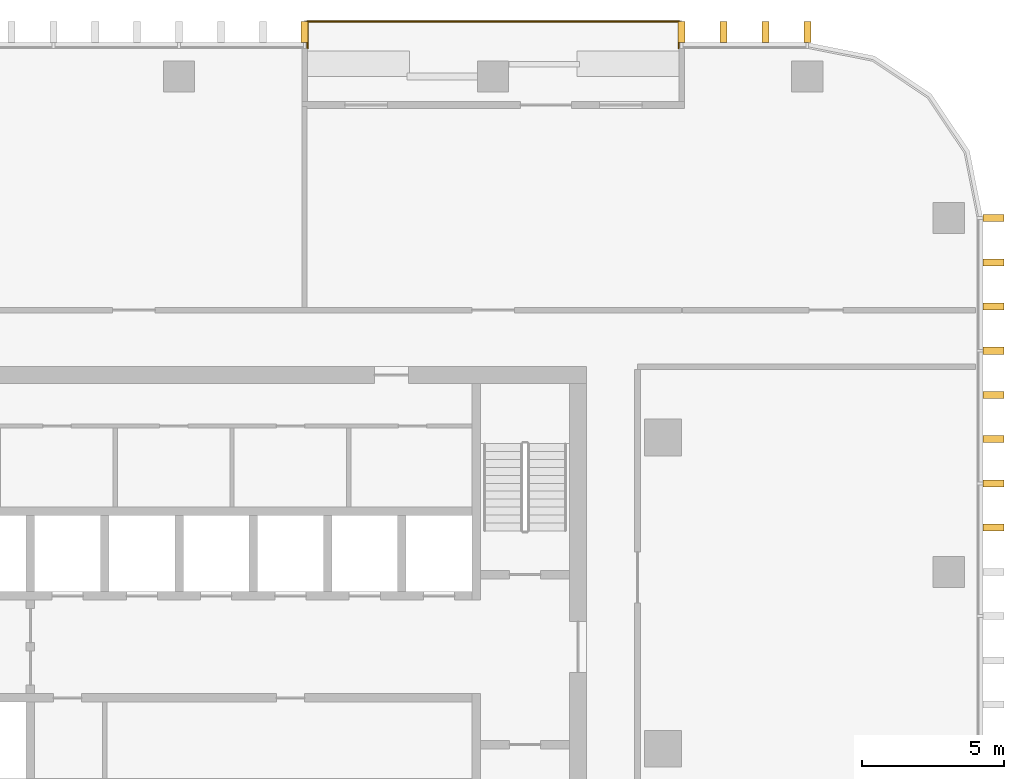
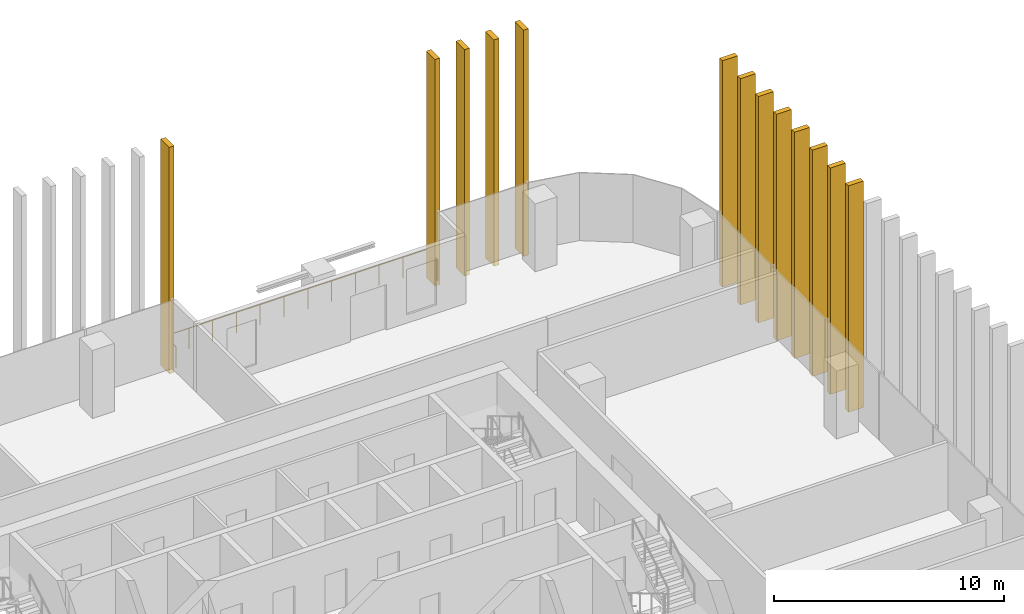
# One storey, part 16 of 16: 13 shading devices, 1 railing.
"""IFC4 building model written with IfcOpenShell, lengths in metres."""

import ifcopenshell
import ifcopenshell.guid

model = None  # the IFC model being written
_history = None  # IfcOwnerHistory: only IFC2X3 demands one
_inside = {}  # id of a spatial element -> (the spatial element, [elements in it])
_under = {}  # id of a project, library or spatial element -> (it, [spatial elements below it])
_declared = {}  # id of a project -> (the project, [libraries it declares])
_typed = {}  # id of a type object -> (the type object, [elements of that type])
_made_of = {}  # id of a material, layer set ... -> (it, [elements and type objects made of it])


def new_model(schema):
    """Start an empty IFC model of exactly this schema.

    Asked for "IFC4X3", IfcOpenShell would pick the latest addendum, in which some entities
    have other attributes; the version numbers below select the first issue.
    IFC2X3 requires an IfcOwnerHistory on every rooted entity: one is made here for all.
    """
    global model, _history
    if schema == "IFC4X3":
        model = ifcopenshell.file(schema_version=(4, 3, 0, 0))
    else:
        model = ifcopenshell.file(schema=schema)
    _inside.clear()
    _under.clear()
    _declared.clear()
    _typed.clear()
    _made_of.clear()
    _history = None
    if model.schema == "IFC2X3":
        org = make("IfcOrganization", Name="unknown")
        user = make(
            "IfcPersonAndOrganization",
            ThePerson=make("IfcPerson", FamilyName="unknown"),
            TheOrganization=org,
        )
        app = make(
            "IfcApplication",
            ApplicationDeveloper=org,
            Version="unknown",
            ApplicationFullName="unknown",
            ApplicationIdentifier="unknown",
        )
        _history = make(
            "IfcOwnerHistory",
            OwningUser=user,
            OwningApplication=app,
            ChangeAction="ADDED",
            CreationDate=0,
        )
    return model


def make(cls, **values):
    """One entity of the class cls with the attributes given. An attribute that is None is left unset."""
    return model.create_entity(
        cls, **{name: value for name, value in values.items() if value is not None}
    )


def rooted(cls, **values):
    """An entity with a GlobalId (a new one), such as an element, a storey or a relation."""
    return make(cls, GlobalId=ifcopenshell.guid.new(), OwnerHistory=_history, **values)


def si_unit(unit_type, name, prefix=None):
    """IfcSIUnit, for example si_unit("LENGTHUNIT", "METRE", prefix="MILLI")."""
    return make("IfcSIUnit", UnitType=unit_type, Prefix=prefix, Name=name)


def assignment(units):
    """IfcUnitAssignment: the units of a project."""
    return None if units is None else make("IfcUnitAssignment", Units=units)


def point(xyz):
    """IfcCartesianPoint."""
    return None if xyz is None else make("IfcCartesianPoint", Coordinates=xyz)


def direction(xyz):
    """IfcDirection."""
    return None if xyz is None else make("IfcDirection", DirectionRatios=xyz)


def frame(location, z_axis=None, x_axis=None):
    """IfcAxis2Placement3D, a coordinate frame: its origin and axes. An axis left out is left unset."""
    return make(
        "IfcAxis2Placement3D",
        Location=point(location),
        Axis=direction(z_axis),
        RefDirection=direction(x_axis),
    )


def frame_2d(location, x_axis=None):
    """IfcAxis2Placement2D, a coordinate frame in the plane: its origin and x axis."""
    return make(
        "IfcAxis2Placement2D", Location=point(location), RefDirection=direction(x_axis)
    )


def origin():
    """The frame at (0, 0, 0) with its axes left unset."""
    return frame((0.0, 0.0, 0.0))


def origin_2d():
    """The frame at (0, 0) in the plane with its x axis left unset."""
    return frame_2d((0.0, 0.0))


def place(relative_to, where):
    """IfcLocalPlacement: puts the frame where relative to a parent placement (None: the world)."""
    return make(
        "IfcLocalPlacement", PlacementRelTo=relative_to, RelativePlacement=where
    )


def context(
    kind, dimensions, precision=None, world=None, true_north=None, identifier=None
):
    """IfcGeometricRepresentationContext, for example the 3D "Model" context."""
    return make(
        "IfcGeometricRepresentationContext",
        ContextIdentifier=identifier,
        ContextType=kind,
        CoordinateSpaceDimension=dimensions,
        Precision=precision,
        WorldCoordinateSystem=world,
        TrueNorth=true_north,
    )


def subcontext(parent, identifier, kind, view, scale=None):
    """IfcGeometricRepresentationSubContext, for example "Body" below "Model"."""
    return make(
        "IfcGeometricRepresentationSubContext",
        ContextIdentifier=identifier,
        ContextType=kind,
        ParentContext=parent,
        TargetScale=scale,
        TargetView=view,
    )


def project(units=None, contexts=None):
    """IfcProject with its units and contexts."""
    return rooted(
        "IfcProject",
        Name="project",
        RepresentationContexts=contexts,
        UnitsInContext=assignment(units),
    )


def spatial(cls, under=None, at=None, **own):
    """A site, building, storey or space (cls), placed at a placement, below another one or the project."""
    s = rooted(cls, ObjectPlacement=at, **own)
    if under is not None:
        _under.setdefault(under.id(), (under, []))[1].append(s)
    return s


def profile(cls, at=None, kind="AREA", **sizes):
    """A parametric profile (cls). Its sizes go by their IFC names, for example OverallWidth=200.0."""
    return make(cls, ProfileType=kind, Position=at, **sizes)


def rectangle(**sizes):
    """IfcRectangleProfileDef."""
    return profile("IfcRectangleProfileDef", **sizes)


def circle(**sizes):
    """IfcCircleProfileDef."""
    return profile("IfcCircleProfileDef", **sizes)


def extrude(swept, where, along, depth):
    """IfcExtrudedAreaSolid: the profile swept, set in the frame where, extruded along a direction by depth."""
    return make(
        "IfcExtrudedAreaSolid",
        SweptArea=swept,
        Position=where,
        ExtrudedDirection=direction(along),
        Depth=depth,
    )


def shape(context_of_items, identifier, shape_type, items):
    """IfcShapeRepresentation: the items that make up one representation, for example the "Body"."""
    return make(
        "IfcShapeRepresentation",
        ContextOfItems=context_of_items,
        RepresentationIdentifier=identifier,
        RepresentationType=shape_type,
        Items=items,
    )


def material(Name=None, Category=None):
    """IfcMaterial."""
    return make("IfcMaterial", Name=Name, Category=Category)


def made_of(thing, what):
    """Note that an element or type object is made of a material, layer set ...; save() writes the relation."""
    if what is not None:
        _made_of.setdefault(what.id(), (what, []))[1].append(thing)
    return thing


def type_object(cls, material=None, **own):
    """A type object (cls), such as IfcWallType, which elements share."""
    return made_of(rooted(cls, **own), material)


def element(
    cls,
    number,
    at=None,
    inside=None,
    cuts=None,
    type_object=None,
    material=None,
    context=None,
    identifier="Body",
    shape_type=None,
    held_by="IfcProductDefinitionShape",
    body=None,
    shapes=None,
    **own,
):
    """One element of the class cls, such as IfcWall. Its Tag is "e" and its number.

    at: its placement. inside: the storey or other place that contains it. cuts: it is an
    opening in that element (IfcRelVoidsElement). A single representation is given by context,
    identifier, shape_type and body (its items); several are given by shapes. held_by: the class
    of the entity that holds the representations. save() writes the other relations.
    """
    e = rooted(cls, Tag="e%d" % number, ObjectPlacement=at, **own)
    if body is not None:
        shapes = [shape(context, identifier, shape_type, body)]
    if shapes is not None:
        e.Representation = make(held_by, Representations=shapes)
    if inside is not None:
        _inside.setdefault(inside.id(), (inside, []))[1].append(e)
    if cuts is not None:
        rooted(
            "IfcRelVoidsElement", RelatingBuildingElement=cuts, RelatedOpeningElement=e
        )
    if type_object is not None:
        _typed.setdefault(type_object.id(), (type_object, []))[1].append(e)
    return made_of(e, material)


def aggregate(whole, parts):
    """IfcRelAggregates: a whole, such as a stair, and the parts it consists of."""
    return rooted("IfcRelAggregates", RelatingObject=whole, RelatedObjects=parts)


def save(model, path):
    """Write the relations noted so far, then the file.

    IfcRelAggregates (storeys below a building ...), IfcRelContainedInSpatialStructure (elements
    in a storey), IfcRelDefinesByType, IfcRelAssociatesMaterial and IfcRelDeclares: one each for
    every whole, place, type object, material and project.
    """
    for whole, parts in _under.values():
        aggregate(whole, parts)
    for where, things in _inside.values():
        rooted(
            "IfcRelContainedInSpatialStructure",
            RelatedElements=things,
            RelatingStructure=where,
        )
    for kind, things in _typed.values():
        rooted("IfcRelDefinesByType", RelatedObjects=things, RelatingType=kind)
    for what, things in _made_of.values():
        rooted("IfcRelAssociatesMaterial", RelatedObjects=things, RelatingMaterial=what)
    for by, libraries in _declared.values():
        rooted("IfcRelDeclares", RelatingContext=by, RelatedDefinitions=libraries)
    model.write(path)


model = new_model("IFC4")

# Units and contexts
model_context = context("Model", 3, precision=1e-05, world=origin(), true_north=direction((0.0, 1.0)))
body_context = subcontext(model_context, "Body", "Model", "MODEL_VIEW")
ifc_project = project(units=[si_unit("LENGTHUNIT", "METRE"), si_unit("AREAUNIT", "SQUARE_METRE"), si_unit("VOLUMEUNIT", "CUBIC_METRE"), si_unit("PLANEANGLEUNIT", "RADIAN"), si_unit("MASSUNIT", "GRAM", prefix="KILO")], contexts=[model_context])

# Site, building, storey
site_placement = place(None, origin())
site = spatial("IfcSite", under=ifc_project, at=site_placement, CompositionType="ELEMENT")
building_placement = place(site_placement, origin())
building = spatial("IfcBuilding", under=site, at=building_placement, Name="Mopane Tessera Tower", CompositionType="ELEMENT")
storey_placement = place(building_placement, frame((0.0, 0.0, 235.0)))
storey = spatial("IfcBuildingStorey", under=building, at=storey_placement, Name="L50", CompositionType="ELEMENT", Elevation=235.0)

# Shading devices
ifc_material_1 = material(Name="Glazed ceramic tile")
shading_device_type = type_object("IfcShadingDeviceType", Name="Ceramic tile fin 750 x 250 mm", PredefinedType="USERDEFINED", material=ifc_material_1)
for number, where, z_axis, x_axis, name in (
    (1, (28.77490234375, 7.8125, -0.39990234375), (0.0, 0.0, 1.0), (0.0, 1.0, 0.0), "e:fin:L50:E:5:2"),
    (2, (28.77490234375, 9.375, -0.39990234375), (0.0, 0.0, 1.0), (0.0, 1.0, 0.0), "e:fin:L50:E:6:0"),
    (3, (28.77490234375, 10.9375, -0.39990234375), (0.0, 0.0, 1.0), (0.0, 1.0, 0.0), "e:fin:L50:E:6:1"),
    (4, (28.77490234375, 12.5, -0.39990234375), (0.0, 0.0, 1.0), (0.0, 1.0, 0.0), "e:fin:L50:E:6:2"),
    (5, (28.77490234375, 14.0625, -0.39990234375), (0.0, 0.0, 1.0), (0.0, 1.0, 0.0), "e:fin:L50:E:7:0"),
    (6, (28.77490234375, 15.625, -0.39990234375), (0.0, 0.0, 1.0), (0.0, 1.0, 0.0), "e:fin:L50:E:7:1"),
    (7, (28.77490234375, 17.1875, -0.39990234375), (0.0, 0.0, 1.0), (0.0, 1.0, 0.0), "e:fin:L50:E:7:2"),
    (8, (28.77490234375, 18.75, -0.39990234375), (0.0, 0.0, 1.0), (0.0, 1.0, 0.0), "e:fin:L50:E:7:3"),
    (9, (22.199951171875, 25.324951171875, -0.39990234375), (0.0, 0.0, 1.0), (-1.0, 0.0, 0.0), "e:fin:L50:N:0:0"),
    (10, (20.719970703125, 25.324951171875, -0.39990234375), (0.0, 0.0, 1.0), (-1.0, 0.0, 0.0), "e:fin:L50:N:0:1"),
    (11, (19.239990234375, 25.324951171875, -0.39990234375), (0.0, 0.0, 1.0), (-1.0, 0.0, 0.0), "e:fin:L50:N:0:2"),
    (12, (17.760009765625, 25.324951171875, -0.39990234375), (0.0, 0.0, 1.0), (-1.0, 0.0, 0.0), "e:fin:L50:N:0:3"),
    (13, (4.43994140625, 25.324951171875, -0.39990234375), (0.0, 0.0, 1.0), (-1.0, 0.0, 0.0), "e:fin:L50:N:4:0"),
):
    element("IfcShadingDevice", number, at=place(storey_placement, frame(where, z_axis=z_axis, x_axis=x_axis)), inside=storey, type_object=shading_device_type, Name=name, ObjectType="FIN", PredefinedType="USERDEFINED", context=body_context, shape_type="SweptSolid", body=[
        extrude(rectangle(XDim=0.25, YDim=0.75, at=origin_2d()), origin(), (0.0, 0.0, 1.0), 12.0),
    ])

# Railing
ifc_material_2 = material(Name="Stainless steel S316", Category="steel")
railing_type = type_object("IfcRailingType", Name="Terrace guard 1100", PredefinedType="GUARDRAIL", material=ifc_material_2)
railing_placement = place(storey_placement, frame((17.659912109375, 24.75, 0.0)))
element("IfcRailing", 14, at=railing_placement, inside=storey, type_object=railing_type, Name="e:nw:L50:N2:guard", PredefinedType="GUARDRAIL", context=body_context, shape_type="SweptSolid", body=[
    extrude(circle(Radius=0.02392578125, at=origin_2d()), frame((0.0, 0.0, 1.076171875), z_axis=(0.0, 1.0, 0.0), x_axis=(-1.0, 0.0, 0.0)), (0.0, 0.0, 1.0), 0.949951171875),
    extrude(circle(Radius=0.02392578125, at=origin_2d()), frame((0.0, 0.949951171875, 1.076171875), z_axis=(-1.0, 0.0, 0.0), x_axis=(0.0, -1.0, 0.0)), (0.0, 0.0, 1.0), 13.119873046875),
    extrude(circle(Radius=0.02392578125, at=origin_2d()), frame((-13.119873046875, 0.949951171875, 1.076171875), z_axis=(0.0, -1.0, 0.0), x_axis=(1.0, 0.0, 0.0)), (0.0, 0.0, 1.0), 0.949951171875),
    extrude(circle(Radius=0.02099609375, at=origin_2d()), origin(), (0.0, 0.0, 1.0), 1.052001953125),
    extrude(circle(Radius=0.02099609375, at=origin_2d()), frame((0.0, 0.949951171875, 0.0)), (0.0, 0.0, 1.0), 1.052001953125),
    extrude(circle(Radius=0.02099609375, at=origin_2d()), frame((-1.192626953125, 0.949951171875, 0.0)), (0.0, 0.0, 1.0), 1.052001953125),
    extrude(circle(Radius=0.02099609375, at=origin_2d()), frame((-2.385498046875, 0.949951171875, 0.0)), (0.0, 0.0, 1.0), 1.052001953125),
    extrude(circle(Radius=0.02099609375, at=origin_2d()), frame((-3.578125, 0.949951171875, 0.0)), (0.0, 0.0, 1.0), 1.052001953125),
    extrude(circle(Radius=0.02099609375, at=origin_2d()), frame((-4.770751953125, 0.949951171875, 0.0)), (0.0, 0.0, 1.0), 1.052001953125),
    extrude(circle(Radius=0.02099609375, at=origin_2d()), frame((-5.963623046875, 0.949951171875, 0.0)), (0.0, 0.0, 1.0), 1.052001953125),
    extrude(circle(Radius=0.02099609375, at=origin_2d()), frame((-7.15625, 0.949951171875, 0.0)), (0.0, 0.0, 1.0), 1.052001953125),
    extrude(circle(Radius=0.02099609375, at=origin_2d()), frame((-8.34912109375, 0.949951171875, 0.0)), (0.0, 0.0, 1.0), 1.052001953125),
    extrude(circle(Radius=0.02099609375, at=origin_2d()), frame((-9.541748046875, 0.949951171875, 0.0)), (0.0, 0.0, 1.0), 1.052001953125),
    extrude(circle(Radius=0.02099609375, at=origin_2d()), frame((-10.734375, 0.949951171875, 0.0)), (0.0, 0.0, 1.0), 1.052001953125),
    extrude(circle(Radius=0.02099609375, at=origin_2d()), frame((-11.92724609375, 0.949951171875, 0.0)), (0.0, 0.0, 1.0), 1.052001953125),
    extrude(circle(Radius=0.02099609375, at=origin_2d()), frame((-13.119873046875, 0.949951171875, 0.0)), (0.0, 0.0, 1.0), 1.052001953125),
    extrude(circle(Radius=0.02099609375, at=origin_2d()), frame((-13.119873046875, 0.0, 0.0)), (0.0, 0.0, 1.0), 1.052001953125),
])

save(model, "model.ifc")
